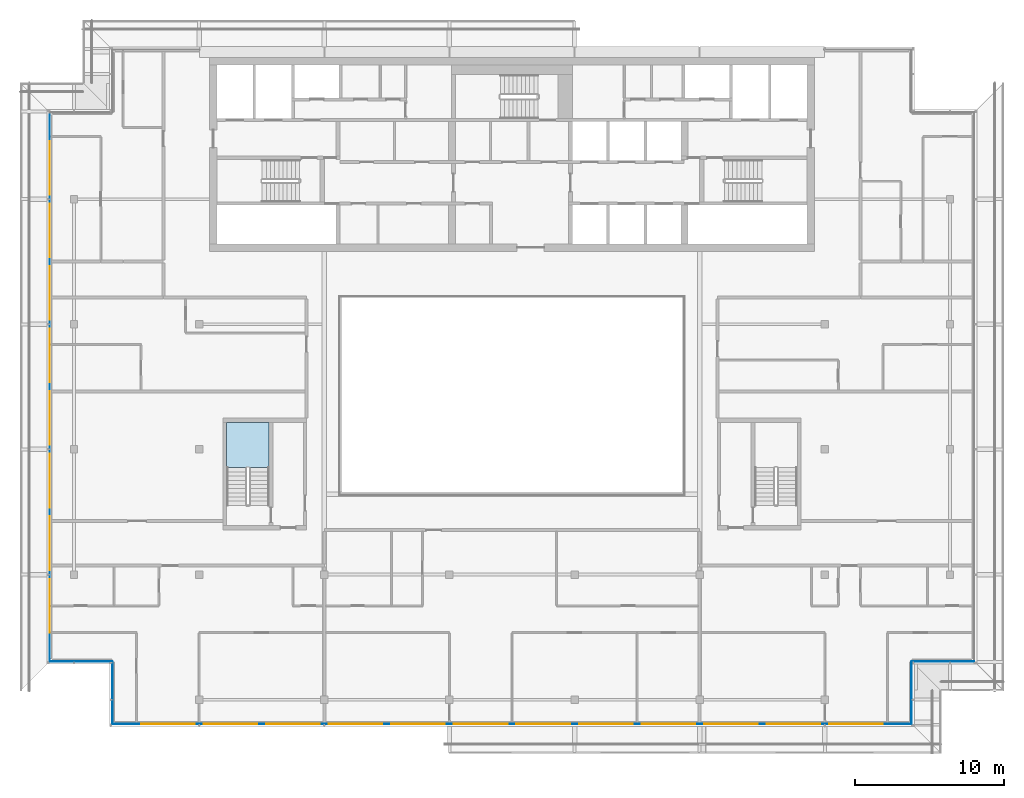
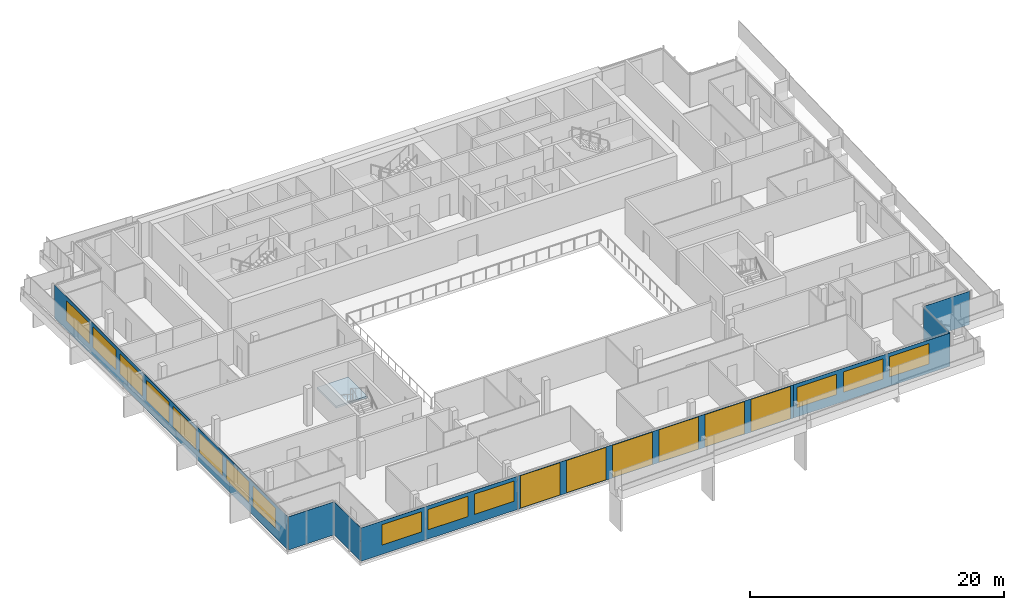
# One storey, part 13 of 26: 20 windows, 8 plates, 1 slab, 20 openings, 7 elements without a shape of their own.
"""IFC4 building model written with IfcOpenShell, lengths in metres."""

from ifc_helpers import new_model, si_unit, direction, frame, frame_2d, origin, place, context, subcontext, project, spatial, polyline, rectangle, outline, extrude, material, layer, layer_set, type_object, element, fill, aggregate, save


model = new_model("IFC4")

# Units and contexts
model_context = context("Model", 3, precision=1e-05, world=origin(), true_north=direction((0.0, 1.0)))
body_context = subcontext(model_context, "Body", "Model", "MODEL_VIEW")
ifc_project = project(units=[si_unit("LENGTHUNIT", "METRE"), si_unit("AREAUNIT", "SQUARE_METRE"), si_unit("VOLUMEUNIT", "CUBIC_METRE"), si_unit("PLANEANGLEUNIT", "RADIAN"), si_unit("MASSUNIT", "GRAM", prefix="KILO")], contexts=[model_context])

# Site, building, storey
site_placement = place(None, origin())
site = spatial("IfcSite", under=ifc_project, at=site_placement, CompositionType="ELEMENT")
building_placement = place(site_placement, origin())
building = spatial("IfcBuilding", under=site, at=building_placement, Name="Saffron Gate Tower", CompositionType="ELEMENT")
storey_placement = place(building_placement, frame((0.0, 0.0, 277.949951171875)))
storey = spatial("IfcBuildingStorey", under=building, at=storey_placement, Name="L67", CompositionType="ELEMENT", Elevation=277.949951171875)

# Curtain wall, plates, openings, windows
ifc_material_1 = material(Name="Aluminium, bronze anodised", Category="aluminium")
curtain_wall_type_1 = type_object("IfcCurtainWallType", Name="CWS1 curtain wall front facade", PredefinedType="NOTDEFINED", material=ifc_material_1)
curtain_wall_1_placement = place(storey_placement, origin())
curtain_wall_1 = element("IfcCurtainWall", 1, at=curtain_wall_1_placement, inside=storey, type_object=curtain_wall_type_1, Name="CWS1 run 1", PredefinedType="NOTDEFINED")
ifc_material_2 = material(Name="Clear low-iron laminated glass", Category="glass")
ifc_layer_1 = layer(ifc_material_2, 0.028076171875)
ifc_layer_set_1 = layer_set([ifc_layer_1], Name="CWS1 clear glass")
plate_type_1 = type_object("IfcPlateType", Name="CWS1 clear glass", PredefinedType="CURTAIN_PANEL", material=ifc_layer_set_1)
plate_1_placement = place(storey_placement, frame((75.030029296875, 30.174072265625, 0.0), z_axis=(0.0, 0.0, 1.0), x_axis=(1.0, 0.0, 0.0)))
plate_1 = element("IfcPlate", 2, at=plate_1_placement, type_object=plate_type_1, Name="CWS1 clear glass panel", PredefinedType="CURTAIN_PANEL", context=body_context, shape_type="SweptSolid", body=[
    extrude(rectangle(XDim=25.139892578125, YDim=0.028076171875, at=frame_2d((12.56982421875, 0.0))), origin(), (0.0, 0.0, 1.0), 3.199951171875),
])
opening_1_placement = place(plate_1_placement, frame((0.27001953125, 0.0, 0.050048828125)))
opening_1 = element("IfcOpeningElement", 3, at=opening_1_placement, cuts=plate_1, Name="Opening WA", PredefinedType="OPENING", context=body_context, shape_type="SweptSolid", body=[
    extrude(rectangle(XDim=3.60009765625, YDim=3.10009765625, at=frame_2d((1.800048828125, 1.550048828125))), frame((0.0, 0.02392578125, 0.0), z_axis=(0.0, -1.0, 0.0), x_axis=(1.0, 0.0, 0.0)), (0.0, 0.0, 1.0), 0.048095703125),
])
opening_2_placement = place(plate_1_placement, frame((4.469970703125, 0.0, 0.050048828125)))
opening_2 = element("IfcOpeningElement", 4, at=opening_2_placement, cuts=plate_1, Name="Opening WA", PredefinedType="OPENING", context=body_context, shape_type="SweptSolid", body=[
    extrude(rectangle(XDim=3.60009765625, YDim=3.10009765625, at=frame_2d((1.800048828125, 1.550048828125))), frame((0.0, 0.02392578125, 0.0), z_axis=(0.0, -1.0, 0.0), x_axis=(1.0, 0.0, 0.0)), (0.0, 0.0, 1.0), 0.048095703125),
])
opening_3_placement = place(plate_1_placement, frame((8.669921875, 0.0, 0.050048828125)))
opening_3 = element("IfcOpeningElement", 5, at=opening_3_placement, cuts=plate_1, Name="Opening WA", PredefinedType="OPENING", context=body_context, shape_type="SweptSolid", body=[
    extrude(rectangle(XDim=3.60009765625, YDim=3.10009765625, at=frame_2d((1.800048828125, 1.550048828125))), frame((0.0, 0.02392578125, 0.0), z_axis=(0.0, -1.0, 0.0), x_axis=(1.0, 0.0, 0.0)), (0.0, 0.0, 1.0), 0.048095703125),
])
opening_4_placement = place(plate_1_placement, frame((12.8701171875, 0.0, 0.050048828125)))
opening_4 = element("IfcOpeningElement", 6, at=opening_4_placement, cuts=plate_1, Name="Opening WA", PredefinedType="OPENING", context=body_context, shape_type="SweptSolid", body=[
    extrude(rectangle(XDim=3.60009765625, YDim=3.10009765625, at=frame_2d((1.800048828125, 1.550048828125))), frame((0.0, 0.02392578125, 0.0), z_axis=(0.0, -1.0, 0.0), x_axis=(1.0, 0.0, 0.0)), (0.0, 0.0, 1.0), 0.048095703125),
])
opening_5_placement = place(plate_1_placement, frame((17.070068359375, 0.0, 0.050048828125)))
opening_5 = element("IfcOpeningElement", 7, at=opening_5_placement, cuts=plate_1, Name="Opening WA", PredefinedType="OPENING", context=body_context, shape_type="SweptSolid", body=[
    extrude(rectangle(XDim=3.60009765625, YDim=3.10009765625, at=frame_2d((1.800048828125, 1.550048828125))), frame((0.0, 0.02392578125, 0.0), z_axis=(0.0, -1.0, 0.0), x_axis=(1.0, 0.0, 0.0)), (0.0, 0.0, 1.0), 0.048095703125),
])
opening_6_placement = place(plate_1_placement, frame((21.27001953125, 0.0, 0.050048828125)))
opening_6 = element("IfcOpeningElement", 8, at=opening_6_placement, cuts=plate_1, Name="Opening WA", PredefinedType="OPENING", context=body_context, shape_type="SweptSolid", body=[
    extrude(rectangle(XDim=3.60009765625, YDim=3.10009765625, at=frame_2d((1.800048828125, 1.550048828125))), frame((0.0, 0.02392578125, 0.0), z_axis=(0.0, -1.0, 0.0), x_axis=(1.0, 0.0, 0.0)), (0.0, 0.0, 1.0), 0.048095703125),
])
ifc_material_3 = material(Name="Clear low-iron laminated glass in bronze frame", Category="glass")
ifc_layer_2 = layer(ifc_material_3, 0.06005859375)
ifc_layer_set_2 = layer_set([ifc_layer_2], Name="WA operable atrium unit 3600x3100")
window_type_1 = type_object("IfcWindowType", Name="WA operable atrium unit 3600x3100", PartitioningType="DOUBLE_PANEL_HORIZONTAL", PredefinedType="WINDOW", material=ifc_layer_set_2)
window_1_placement = place(opening_1_placement, origin())
window_1 = element("IfcWindow", 9, at=window_1_placement, type_object=window_type_1, Name="WA operable atrium unit", OverallHeight=3.10009765625, OverallWidth=3.60009765625, PartitioningType="SINGLE_PANEL", PredefinedType="WINDOW", context=body_context, shape_type="SweptSolid", body=[
    extrude(rectangle(XDim=3.60009765625, YDim=3.10009765625, at=frame_2d((1.800048828125, 1.550048828125))), frame((0.0, 0.013671875, 0.0), z_axis=(0.0, -1.0, 0.0), x_axis=(1.0, 0.0, 0.0)), (0.0, 0.0, 1.0), 0.027587890625),
])
fill(opening_1, window_1)
window_2_placement = place(opening_2_placement, origin())
window_2 = element("IfcWindow", 10, at=window_2_placement, type_object=window_type_1, Name="WA operable atrium unit", OverallHeight=3.10009765625, OverallWidth=3.60009765625, PartitioningType="SINGLE_PANEL", PredefinedType="WINDOW", context=body_context, shape_type="SweptSolid", body=[
    extrude(rectangle(XDim=3.60009765625, YDim=3.10009765625, at=frame_2d((1.800048828125, 1.550048828125))), frame((0.0, 0.013671875, 0.0), z_axis=(0.0, -1.0, 0.0), x_axis=(1.0, 0.0, 0.0)), (0.0, 0.0, 1.0), 0.027587890625),
])
fill(opening_2, window_2)
window_3_placement = place(opening_3_placement, origin())
window_3 = element("IfcWindow", 11, at=window_3_placement, type_object=window_type_1, Name="WA operable atrium unit", OverallHeight=3.10009765625, OverallWidth=3.60009765625, PartitioningType="SINGLE_PANEL", PredefinedType="WINDOW", context=body_context, shape_type="SweptSolid", body=[
    extrude(rectangle(XDim=3.60009765625, YDim=3.10009765625, at=frame_2d((1.800048828125, 1.550048828125))), frame((0.0, 0.013671875, 0.0), z_axis=(0.0, -1.0, 0.0), x_axis=(1.0, 0.0, 0.0)), (0.0, 0.0, 1.0), 0.027587890625),
])
fill(opening_3, window_3)
window_4_placement = place(opening_4_placement, origin())
window_4 = element("IfcWindow", 12, at=window_4_placement, type_object=window_type_1, Name="WA operable atrium unit", OverallHeight=3.10009765625, OverallWidth=3.60009765625, PartitioningType="SINGLE_PANEL", PredefinedType="WINDOW", context=body_context, shape_type="SweptSolid", body=[
    extrude(rectangle(XDim=3.60009765625, YDim=3.10009765625, at=frame_2d((1.800048828125, 1.550048828125))), frame((0.0, 0.013671875, 0.0), z_axis=(0.0, -1.0, 0.0), x_axis=(1.0, 0.0, 0.0)), (0.0, 0.0, 1.0), 0.027587890625),
])
fill(opening_4, window_4)
window_5_placement = place(opening_5_placement, origin())
window_5 = element("IfcWindow", 13, at=window_5_placement, type_object=window_type_1, Name="WA operable atrium unit", OverallHeight=3.10009765625, OverallWidth=3.60009765625, PartitioningType="SINGLE_PANEL", PredefinedType="WINDOW", context=body_context, shape_type="SweptSolid", body=[
    extrude(rectangle(XDim=3.60009765625, YDim=3.10009765625, at=frame_2d((1.800048828125, 1.550048828125))), frame((0.0, 0.013671875, 0.0), z_axis=(0.0, -1.0, 0.0), x_axis=(1.0, 0.0, 0.0)), (0.0, 0.0, 1.0), 0.027587890625),
])
fill(opening_5, window_5)
window_6_placement = place(opening_6_placement, origin())
window_6 = element("IfcWindow", 14, at=window_6_placement, type_object=window_type_1, Name="WA operable atrium unit", OverallHeight=3.10009765625, OverallWidth=3.60009765625, PartitioningType="SINGLE_PANEL", PredefinedType="WINDOW", context=body_context, shape_type="SweptSolid", body=[
    extrude(rectangle(XDim=3.60009765625, YDim=3.10009765625, at=frame_2d((1.800048828125, 1.550048828125))), frame((0.0, 0.013671875, 0.0), z_axis=(0.0, -1.0, 0.0), x_axis=(1.0, 0.0, 0.0)), (0.0, 0.0, 1.0), 0.027587890625),
])
fill(opening_6, window_6)
ifc_material_4 = material(Name="Fritted bronze-tinted laminated glass", Category="glass")
ifc_layer_3 = layer(ifc_material_4, 0.028076171875)
ifc_layer_set_3 = layer_set([ifc_layer_3], Name="CWS1 fixed glass")
plate_type_2 = type_object("IfcPlateType", Name="CWS1 fixed glass", PredefinedType="CURTAIN_PANEL", material=ifc_layer_set_3)
plate_2_placement = place(storey_placement, frame((60.7880859375, 30.174072265625, 0.0), z_axis=(0.0, 0.0, 1.0), x_axis=(1.0, 0.0, 0.0)))
plate_2 = element("IfcPlate", 15, at=plate_2_placement, type_object=plate_type_2, Name="CWS1 glass panel", PredefinedType="CURTAIN_PANEL", context=body_context, shape_type="SweptSolid", body=[
    extrude(rectangle(XDim=14.241943359375, YDim=0.028076171875, at=frame_2d((7.12109375, 0.0))), origin(), (0.0, 0.0, 1.0), 3.199951171875),
])
opening_7_placement = place(plate_2_placement, frame((1.912109375, 0.0, 0.89990234375)))
opening_7 = element("IfcOpeningElement", 16, at=opening_7_placement, cuts=plate_2, Name="Opening W1", PredefinedType="OPENING", context=body_context, shape_type="SweptSolid", body=[
    extrude(rectangle(XDim=3.60009765625, YDim=1.949951171875, at=frame_2d((1.800048828125, 0.97509765625))), frame((0.0, 0.02392578125, 0.0), z_axis=(0.0, -1.0, 0.0), x_axis=(1.0, 0.0, 0.0)), (0.0, 0.0, 1.0), 0.048095703125),
])
opening_8_placement = place(plate_2_placement, frame((6.112060546875, 0.0, 0.89990234375)))
opening_8 = element("IfcOpeningElement", 17, at=opening_8_placement, cuts=plate_2, Name="Opening W1", PredefinedType="OPENING", context=body_context, shape_type="SweptSolid", body=[
    extrude(rectangle(XDim=3.60009765625, YDim=1.949951171875, at=frame_2d((1.800048828125, 0.97509765625))), frame((0.0, 0.02392578125, 0.0), z_axis=(0.0, -1.0, 0.0), x_axis=(1.0, 0.0, 0.0)), (0.0, 0.0, 1.0), 0.048095703125),
])
opening_9_placement = place(plate_2_placement, frame((10.31201171875, 0.0, 0.89990234375)))
opening_9 = element("IfcOpeningElement", 18, at=opening_9_placement, cuts=plate_2, Name="Opening W1", PredefinedType="OPENING", context=body_context, shape_type="SweptSolid", body=[
    extrude(rectangle(XDim=3.60009765625, YDim=1.949951171875, at=frame_2d((1.800048828125, 0.97509765625))), frame((0.0, 0.02392578125, 0.0), z_axis=(0.0, -1.0, 0.0), x_axis=(1.0, 0.0, 0.0)), (0.0, 0.0, 1.0), 0.048095703125),
])
ifc_material_5 = material(Name="Fritted bronze-tinted laminated glass in bronze frame", Category="glass")
ifc_layer_4 = layer(ifc_material_5, 0.06005859375)
ifc_layer_set_4 = layer_set([ifc_layer_4], Name="W1 operable panel 3600x1950")
window_type_2 = type_object("IfcWindowType", Name="W1 operable panel 3600x1950", PartitioningType="DOUBLE_PANEL_HORIZONTAL", PredefinedType="WINDOW", material=ifc_layer_set_4)
window_7_placement = place(opening_7_placement, origin())
window_7 = element("IfcWindow", 19, at=window_7_placement, type_object=window_type_2, Name="W1 operable panel", OverallHeight=1.949951171875, OverallWidth=3.60009765625, PartitioningType="SINGLE_PANEL", PredefinedType="WINDOW", context=body_context, shape_type="SweptSolid", body=[
    extrude(rectangle(XDim=3.60009765625, YDim=1.949951171875, at=frame_2d((1.800048828125, 0.97509765625))), frame((0.0, 0.013671875, 0.0), z_axis=(0.0, -1.0, 0.0), x_axis=(1.0, 0.0, 0.0)), (0.0, 0.0, 1.0), 0.027587890625),
])
fill(opening_7, window_7)
window_8_placement = place(opening_8_placement, origin())
window_8 = element("IfcWindow", 20, at=window_8_placement, type_object=window_type_2, Name="W1 operable panel", OverallHeight=1.949951171875, OverallWidth=3.60009765625, PartitioningType="SINGLE_PANEL", PredefinedType="WINDOW", context=body_context, shape_type="SweptSolid", body=[
    extrude(rectangle(XDim=3.60009765625, YDim=1.949951171875, at=frame_2d((1.800048828125, 0.97509765625))), frame((0.0, 0.013671875, 0.0), z_axis=(0.0, -1.0, 0.0), x_axis=(1.0, 0.0, 0.0)), (0.0, 0.0, 1.0), 0.027587890625),
])
fill(opening_8, window_8)
window_9_placement = place(opening_9_placement, origin())
window_9 = element("IfcWindow", 21, at=window_9_placement, type_object=window_type_2, Name="W1 operable panel", OverallHeight=1.949951171875, OverallWidth=3.60009765625, PartitioningType="SINGLE_PANEL", PredefinedType="WINDOW", context=body_context, shape_type="SweptSolid", body=[
    extrude(rectangle(XDim=3.60009765625, YDim=1.949951171875, at=frame_2d((1.800048828125, 0.97509765625))), frame((0.0, 0.013671875, 0.0), z_axis=(0.0, -1.0, 0.0), x_axis=(1.0, 0.0, 0.0)), (0.0, 0.0, 1.0), 0.027587890625),
])
fill(opening_9, window_9)
plate_3_placement = place(storey_placement, frame((100.169921875, 30.174072265625, 0.0), z_axis=(0.0, 0.0, 1.0), x_axis=(1.0, 0.0, 0.0)))
plate_3 = element("IfcPlate", 22, at=plate_3_placement, type_object=plate_type_2, Name="CWS1 glass panel", PredefinedType="CURTAIN_PANEL", context=body_context, shape_type="SweptSolid", body=[
    extrude(rectangle(XDim=14.2421875, YDim=0.028076171875, at=frame_2d((7.12109375, 0.0))), origin(), (0.0, 0.0, 1.0), 3.199951171875),
])
opening_10_placement = place(plate_3_placement, frame((0.330078125, 0.0, 0.89990234375)))
opening_10 = element("IfcOpeningElement", 23, at=opening_10_placement, cuts=plate_3, Name="Opening W1", PredefinedType="OPENING", context=body_context, shape_type="SweptSolid", body=[
    extrude(rectangle(XDim=3.60009765625, YDim=1.949951171875, at=frame_2d((1.800048828125, 0.97509765625))), frame((0.0, 0.02392578125, 0.0), z_axis=(0.0, -1.0, 0.0), x_axis=(1.0, 0.0, 0.0)), (0.0, 0.0, 1.0), 0.048095703125),
])
opening_11_placement = place(plate_3_placement, frame((4.530029296875, 0.0, 0.89990234375)))
opening_11 = element("IfcOpeningElement", 24, at=opening_11_placement, cuts=plate_3, Name="Opening W1", PredefinedType="OPENING", context=body_context, shape_type="SweptSolid", body=[
    extrude(rectangle(XDim=3.60009765625, YDim=1.949951171875, at=frame_2d((1.800048828125, 0.97509765625))), frame((0.0, 0.02392578125, 0.0), z_axis=(0.0, -1.0, 0.0), x_axis=(1.0, 0.0, 0.0)), (0.0, 0.0, 1.0), 0.048095703125),
])
opening_12_placement = place(plate_3_placement, frame((8.72998046875, 0.0, 0.89990234375)))
opening_12 = element("IfcOpeningElement", 25, at=opening_12_placement, cuts=plate_3, Name="Opening W1", PredefinedType="OPENING", context=body_context, shape_type="SweptSolid", body=[
    extrude(rectangle(XDim=3.60009765625, YDim=1.949951171875, at=frame_2d((1.800048828125, 0.97509765625))), frame((0.0, 0.02392578125, 0.0), z_axis=(0.0, -1.0, 0.0), x_axis=(1.0, 0.0, 0.0)), (0.0, 0.0, 1.0), 0.048095703125),
])
window_10_placement = place(opening_10_placement, origin())
window_10 = element("IfcWindow", 26, at=window_10_placement, type_object=window_type_2, Name="W1 operable panel", OverallHeight=1.949951171875, OverallWidth=3.60009765625, PartitioningType="SINGLE_PANEL", PredefinedType="WINDOW", context=body_context, shape_type="SweptSolid", body=[
    extrude(rectangle(XDim=3.60009765625, YDim=1.949951171875, at=frame_2d((1.800048828125, 0.97509765625))), frame((0.0, 0.013671875, 0.0), z_axis=(0.0, -1.0, 0.0), x_axis=(1.0, 0.0, 0.0)), (0.0, 0.0, 1.0), 0.027587890625),
])
fill(opening_10, window_10)
window_11_placement = place(opening_11_placement, origin())
window_11 = element("IfcWindow", 27, at=window_11_placement, type_object=window_type_2, Name="W1 operable panel", OverallHeight=1.949951171875, OverallWidth=3.60009765625, PartitioningType="SINGLE_PANEL", PredefinedType="WINDOW", context=body_context, shape_type="SweptSolid", body=[
    extrude(rectangle(XDim=3.60009765625, YDim=1.949951171875, at=frame_2d((1.800048828125, 0.97509765625))), frame((0.0, 0.013671875, 0.0), z_axis=(0.0, -1.0, 0.0), x_axis=(1.0, 0.0, 0.0)), (0.0, 0.0, 1.0), 0.027587890625),
])
fill(opening_11, window_11)
window_12_placement = place(opening_12_placement, origin())
window_12 = element("IfcWindow", 28, at=window_12_placement, type_object=window_type_2, Name="W1 operable panel", OverallHeight=1.949951171875, OverallWidth=3.60009765625, PartitioningType="SINGLE_PANEL", PredefinedType="WINDOW", context=body_context, shape_type="SweptSolid", body=[
    extrude(rectangle(XDim=3.60009765625, YDim=1.949951171875, at=frame_2d((1.800048828125, 0.97509765625))), frame((0.0, 0.013671875, 0.0), z_axis=(0.0, -1.0, 0.0), x_axis=(1.0, 0.0, 0.0)), (0.0, 0.0, 1.0), 0.027587890625),
])
fill(opening_12, window_12)
aggregate(curtain_wall_1, [plate_2, plate_3, plate_1, window_7, window_8, window_9, window_10, window_11, window_12, window_1, window_2, window_3, window_4, window_5, window_6])

# Curtain wall, plate, openings, windows
curtain_wall_type_2 = type_object("IfcCurtainWallType", Name="CWS2 curtain wall side facades", PredefinedType="NOTDEFINED", material=ifc_material_1)
curtain_wall_2_placement = place(storey_placement, origin())
curtain_wall_2 = element("IfcCurtainWall", 29, at=curtain_wall_2_placement, inside=storey, type_object=curtain_wall_type_2, Name="CWS2 run 10", PredefinedType="NOTDEFINED")
ifc_layer_5 = layer(ifc_material_4, 0.028076171875)
ifc_layer_set_5 = layer_set([ifc_layer_5], Name="CWS2 fixed glass")
plate_type_3 = type_object("IfcPlateType", Name="CWS2 fixed glass", PredefinedType="CURTAIN_PANEL", material=ifc_layer_set_5)
plate_4_placement = place(storey_placement, frame((56.573974609375, 71.2119140625, 0.0), z_axis=(0.0, 0.0, 1.0), x_axis=(0.0, -1.0, 0.0)))
plate_4 = element("IfcPlate", 30, at=plate_4_placement, type_object=plate_type_3, Name="CWS2 glass panel", PredefinedType="CURTAIN_PANEL", context=body_context, shape_type="SweptSolid", body=[
    extrude(rectangle(XDim=36.823974609375, YDim=0.028076171875, at=frame_2d((18.412109375, 0.0))), origin(), (0.0, 0.0, 1.0), 3.199951171875),
])
opening_13_placement = place(plate_4_placement, frame((1.912109375, 0.0, 0.89990234375)))
opening_13 = element("IfcOpeningElement", 31, at=opening_13_placement, cuts=plate_4, Name="Opening W1", PredefinedType="OPENING", context=body_context, shape_type="SweptSolid", body=[
    extrude(rectangle(XDim=3.60009765625, YDim=1.949951171875, at=frame_2d((1.800048828125, 0.97509765625))), frame((0.0, 0.02392578125, 0.0), z_axis=(0.0, -1.0, 0.0), x_axis=(1.0, 0.0, 0.0)), (0.0, 0.0, 1.0), 0.048095703125),
])
opening_14_placement = place(plate_4_placement, frame((6.112060546875, 0.0, 0.89990234375)))
opening_14 = element("IfcOpeningElement", 32, at=opening_14_placement, cuts=plate_4, Name="Opening W1", PredefinedType="OPENING", context=body_context, shape_type="SweptSolid", body=[
    extrude(rectangle(XDim=3.60009765625, YDim=1.949951171875, at=frame_2d((1.800048828125, 0.97509765625))), frame((0.0, 0.02392578125, 0.0), z_axis=(0.0, -1.0, 0.0), x_axis=(1.0, 0.0, 0.0)), (0.0, 0.0, 1.0), 0.048095703125),
])
opening_15_placement = place(plate_4_placement, frame((10.31201171875, 0.0, 0.89990234375)))
opening_15 = element("IfcOpeningElement", 33, at=opening_15_placement, cuts=plate_4, Name="Opening W1", PredefinedType="OPENING", context=body_context, shape_type="SweptSolid", body=[
    extrude(rectangle(XDim=3.60009765625, YDim=1.949951171875, at=frame_2d((1.800048828125, 0.97509765625))), frame((0.0, 0.02392578125, 0.0), z_axis=(0.0, -1.0, 0.0), x_axis=(1.0, 0.0, 0.0)), (0.0, 0.0, 1.0), 0.048095703125),
])
opening_16_placement = place(plate_4_placement, frame((14.511962890625, 0.0, 0.89990234375)))
opening_16 = element("IfcOpeningElement", 34, at=opening_16_placement, cuts=plate_4, Name="Opening W1", PredefinedType="OPENING", context=body_context, shape_type="SweptSolid", body=[
    extrude(rectangle(XDim=3.60009765625, YDim=1.949951171875, at=frame_2d((1.800048828125, 0.97509765625))), frame((0.0, 0.02392578125, 0.0), z_axis=(0.0, -1.0, 0.0), x_axis=(1.0, 0.0, 0.0)), (0.0, 0.0, 1.0), 0.048095703125),
])
opening_17_placement = place(plate_4_placement, frame((18.7119140625, 0.0, 0.89990234375)))
opening_17 = element("IfcOpeningElement", 35, at=opening_17_placement, cuts=plate_4, Name="Opening W1", PredefinedType="OPENING", context=body_context, shape_type="SweptSolid", body=[
    extrude(rectangle(XDim=3.60009765625, YDim=1.949951171875, at=frame_2d((1.800048828125, 0.97509765625))), frame((0.0, 0.02392578125, 0.0), z_axis=(0.0, -1.0, 0.0), x_axis=(1.0, 0.0, 0.0)), (0.0, 0.0, 1.0), 0.048095703125),
])
opening_18_placement = place(plate_4_placement, frame((22.912109375, 0.0, 0.89990234375)))
opening_18 = element("IfcOpeningElement", 36, at=opening_18_placement, cuts=plate_4, Name="Opening W1", PredefinedType="OPENING", context=body_context, shape_type="SweptSolid", body=[
    extrude(rectangle(XDim=3.60009765625, YDim=1.949951171875, at=frame_2d((1.800048828125, 0.97509765625))), frame((0.0, 0.02392578125, 0.0), z_axis=(0.0, -1.0, 0.0), x_axis=(1.0, 0.0, 0.0)), (0.0, 0.0, 1.0), 0.048095703125),
])
opening_19_placement = place(plate_4_placement, frame((27.112060546875, 0.0, 0.89990234375)))
opening_19 = element("IfcOpeningElement", 37, at=opening_19_placement, cuts=plate_4, Name="Opening W1", PredefinedType="OPENING", context=body_context, shape_type="SweptSolid", body=[
    extrude(rectangle(XDim=3.60009765625, YDim=1.949951171875, at=frame_2d((1.800048828125, 0.97509765625))), frame((0.0, 0.02392578125, 0.0), z_axis=(0.0, -1.0, 0.0), x_axis=(1.0, 0.0, 0.0)), (0.0, 0.0, 1.0), 0.048095703125),
])
opening_20_placement = place(plate_4_placement, frame((31.31201171875, 0.0, 0.89990234375)))
opening_20 = element("IfcOpeningElement", 38, at=opening_20_placement, cuts=plate_4, Name="Opening W1", PredefinedType="OPENING", context=body_context, shape_type="SweptSolid", body=[
    extrude(rectangle(XDim=3.60009765625, YDim=1.949951171875, at=frame_2d((1.800048828125, 0.97509765625))), frame((0.0, 0.02392578125, 0.0), z_axis=(0.0, -1.0, 0.0), x_axis=(1.0, 0.0, 0.0)), (0.0, 0.0, 1.0), 0.048095703125),
])
window_13_placement = place(opening_13_placement, origin())
window_13 = element("IfcWindow", 39, at=window_13_placement, type_object=window_type_2, Name="W1 operable panel", OverallHeight=1.949951171875, OverallWidth=3.60009765625, PartitioningType="SINGLE_PANEL", PredefinedType="WINDOW", context=body_context, shape_type="SweptSolid", body=[
    extrude(rectangle(XDim=3.60009765625, YDim=1.949951171875, at=frame_2d((1.800048828125, 0.97509765625))), frame((0.0, 0.013671875, 0.0), z_axis=(0.0, -1.0, 0.0), x_axis=(1.0, 0.0, 0.0)), (0.0, 0.0, 1.0), 0.027587890625),
])
fill(opening_13, window_13)
window_14_placement = place(opening_14_placement, origin())
window_14 = element("IfcWindow", 40, at=window_14_placement, type_object=window_type_2, Name="W1 operable panel", OverallHeight=1.949951171875, OverallWidth=3.60009765625, PartitioningType="SINGLE_PANEL", PredefinedType="WINDOW", context=body_context, shape_type="SweptSolid", body=[
    extrude(rectangle(XDim=3.60009765625, YDim=1.949951171875, at=frame_2d((1.800048828125, 0.97509765625))), frame((0.0, 0.013671875, 0.0), z_axis=(0.0, -1.0, 0.0), x_axis=(1.0, 0.0, 0.0)), (0.0, 0.0, 1.0), 0.027587890625),
])
fill(opening_14, window_14)
window_15_placement = place(opening_15_placement, origin())
window_15 = element("IfcWindow", 41, at=window_15_placement, type_object=window_type_2, Name="W1 operable panel", OverallHeight=1.949951171875, OverallWidth=3.60009765625, PartitioningType="SINGLE_PANEL", PredefinedType="WINDOW", context=body_context, shape_type="SweptSolid", body=[
    extrude(rectangle(XDim=3.60009765625, YDim=1.949951171875, at=frame_2d((1.800048828125, 0.97509765625))), frame((0.0, 0.013671875, 0.0), z_axis=(0.0, -1.0, 0.0), x_axis=(1.0, 0.0, 0.0)), (0.0, 0.0, 1.0), 0.027587890625),
])
fill(opening_15, window_15)
window_16_placement = place(opening_16_placement, origin())
window_16 = element("IfcWindow", 42, at=window_16_placement, type_object=window_type_2, Name="W1 operable panel", OverallHeight=1.949951171875, OverallWidth=3.60009765625, PartitioningType="SINGLE_PANEL", PredefinedType="WINDOW", context=body_context, shape_type="SweptSolid", body=[
    extrude(rectangle(XDim=3.60009765625, YDim=1.949951171875, at=frame_2d((1.800048828125, 0.97509765625))), frame((0.0, 0.013671875, 0.0), z_axis=(0.0, -1.0, 0.0), x_axis=(1.0, 0.0, 0.0)), (0.0, 0.0, 1.0), 0.027587890625),
])
fill(opening_16, window_16)
window_17_placement = place(opening_17_placement, origin())
window_17 = element("IfcWindow", 43, at=window_17_placement, type_object=window_type_2, Name="W1 operable panel", OverallHeight=1.949951171875, OverallWidth=3.60009765625, PartitioningType="SINGLE_PANEL", PredefinedType="WINDOW", context=body_context, shape_type="SweptSolid", body=[
    extrude(rectangle(XDim=3.60009765625, YDim=1.949951171875, at=frame_2d((1.800048828125, 0.97509765625))), frame((0.0, 0.013671875, 0.0), z_axis=(0.0, -1.0, 0.0), x_axis=(1.0, 0.0, 0.0)), (0.0, 0.0, 1.0), 0.027587890625),
])
fill(opening_17, window_17)
window_18_placement = place(opening_18_placement, origin())
window_18 = element("IfcWindow", 44, at=window_18_placement, type_object=window_type_2, Name="W1 operable panel", OverallHeight=1.949951171875, OverallWidth=3.60009765625, PartitioningType="SINGLE_PANEL", PredefinedType="WINDOW", context=body_context, shape_type="SweptSolid", body=[
    extrude(rectangle(XDim=3.60009765625, YDim=1.949951171875, at=frame_2d((1.800048828125, 0.97509765625))), frame((0.0, 0.013671875, 0.0), z_axis=(0.0, -1.0, 0.0), x_axis=(1.0, 0.0, 0.0)), (0.0, 0.0, 1.0), 0.027587890625),
])
fill(opening_18, window_18)
window_19_placement = place(opening_19_placement, origin())
window_19 = element("IfcWindow", 45, at=window_19_placement, type_object=window_type_2, Name="W1 operable panel", OverallHeight=1.949951171875, OverallWidth=3.60009765625, PartitioningType="SINGLE_PANEL", PredefinedType="WINDOW", context=body_context, shape_type="SweptSolid", body=[
    extrude(rectangle(XDim=3.60009765625, YDim=1.949951171875, at=frame_2d((1.800048828125, 0.97509765625))), frame((0.0, 0.013671875, 0.0), z_axis=(0.0, -1.0, 0.0), x_axis=(1.0, 0.0, 0.0)), (0.0, 0.0, 1.0), 0.027587890625),
])
fill(opening_19, window_19)
window_20_placement = place(opening_20_placement, origin())
window_20 = element("IfcWindow", 46, at=window_20_placement, type_object=window_type_2, Name="W1 operable panel", OverallHeight=1.949951171875, OverallWidth=3.60009765625, PartitioningType="SINGLE_PANEL", PredefinedType="WINDOW", context=body_context, shape_type="SweptSolid", body=[
    extrude(rectangle(XDim=3.60009765625, YDim=1.949951171875, at=frame_2d((1.800048828125, 0.97509765625))), frame((0.0, 0.013671875, 0.0), z_axis=(0.0, -1.0, 0.0), x_axis=(1.0, 0.0, 0.0)), (0.0, 0.0, 1.0), 0.027587890625),
])
fill(opening_20, window_20)
aggregate(curtain_wall_2, [plate_4, window_13, window_14, window_15, window_16, window_17, window_18, window_19, window_20])

# Curtain wall, plate
curtain_wall_type_3 = type_object("IfcCurtainWallType", Name="CWS4 curtain wall corner returns", PredefinedType="NOTDEFINED", material=ifc_material_1)
curtain_wall_3_placement = place(storey_placement, origin())
curtain_wall_3 = element("IfcCurtainWall", 47, at=curtain_wall_3_placement, inside=storey, type_object=curtain_wall_type_3, Name="CWS4 run 2", PredefinedType="NOTDEFINED")
ifc_layer_6 = layer(ifc_material_4, 0.028076171875)
ifc_layer_set_6 = layer_set([ifc_layer_6], Name="CWS4 fixed glass")
plate_type_4 = type_object("IfcPlateType", Name="CWS4 fixed glass", PredefinedType="CURTAIN_PANEL", material=ifc_layer_set_6)
plate_5_placement = place(storey_placement, frame((114.426025390625, 30.18798828125, 0.0), z_axis=(0.0, 0.0, 1.0), x_axis=(0.0, 1.0, 0.0)))
plate_5 = element("IfcPlate", 48, at=plate_5_placement, type_object=plate_type_4, Name="CWS4 glass panel", PredefinedType="CURTAIN_PANEL", context=body_context, shape_type="SweptSolid", body=[
    extrude(rectangle(XDim=4.172119140625, YDim=0.028076171875, at=frame_2d((2.0859375, 0.0))), origin(), (0.0, 0.0, 1.0), 3.199951171875),
])
aggregate(curtain_wall_3, [plate_5])

curtain_wall_4_placement = place(storey_placement, origin())
curtain_wall_4 = element("IfcCurtainWall", 49, at=curtain_wall_4_placement, inside=storey, type_object=curtain_wall_type_3, Name="CWS4 run 3", PredefinedType="NOTDEFINED")
plate_6_placement = place(storey_placement, frame((114.43994140625, 34.3740234375, 0.0), z_axis=(0.0, 0.0, 1.0), x_axis=(1.0, 0.0, 0.0)))
plate_6 = element("IfcPlate", 50, at=plate_6_placement, type_object=plate_type_4, Name="CWS4 glass panel", PredefinedType="CURTAIN_PANEL", context=body_context, shape_type="SweptSolid", body=[
    extrude(rectangle(XDim=4.172119140625, YDim=0.028076171875, at=frame_2d((2.0859375, 0.0))), origin(), (0.0, 0.0, 1.0), 3.199951171875),
])
aggregate(curtain_wall_4, [plate_6])

curtain_wall_5_placement = place(storey_placement, origin())
curtain_wall_5 = element("IfcCurtainWall", 51, at=curtain_wall_5_placement, inside=storey, type_object=curtain_wall_type_3, Name="CWS4 run 11", PredefinedType="NOTDEFINED")
plate_7_placement = place(storey_placement, frame((56.587890625, 34.3740234375, 0.0), z_axis=(0.0, 0.0, 1.0), x_axis=(1.0, 0.0, 0.0)))
plate_7 = element("IfcPlate", 52, at=plate_7_placement, type_object=plate_type_4, Name="CWS4 glass panel", PredefinedType="CURTAIN_PANEL", context=body_context, shape_type="SweptSolid", body=[
    extrude(rectangle(XDim=4.172119140625, YDim=0.028076171875, at=frame_2d((2.0859375, 0.0))), origin(), (0.0, 0.0, 1.0), 3.199951171875),
])
aggregate(curtain_wall_5, [plate_7])

curtain_wall_6_placement = place(storey_placement, origin())
curtain_wall_6 = element("IfcCurtainWall", 53, at=curtain_wall_6_placement, inside=storey, type_object=curtain_wall_type_3, Name="CWS4 run 12", PredefinedType="NOTDEFINED")
plate_8_placement = place(storey_placement, frame((60.77392578125, 34.360107421875, 0.0), z_axis=(0.0, 0.0, 1.0), x_axis=(0.0, -1.0, 0.0)))
plate_8 = element("IfcPlate", 54, at=plate_8_placement, type_object=plate_type_4, Name="CWS4 glass panel", PredefinedType="CURTAIN_PANEL", context=body_context, shape_type="SweptSolid", body=[
    extrude(rectangle(XDim=4.172119140625, YDim=0.028076171875, at=frame_2d((2.0859375, 0.0))), origin(), (0.0, 0.0, 1.0), 3.199951171875),
])
aggregate(curtain_wall_6, [plate_8])

# Stair, slab
ifc_material_6 = material(Name="Concrete C40", Category="concrete")
stair_type = type_object("IfcStairType", Name="ST7 Stair 1350 wide, 20 risers of 180", PredefinedType="HALF_TURN_STAIR", material=ifc_material_6)
stair_placement = place(storey_placement, origin())
stair = element("IfcStair", 55, at=stair_placement, inside=storey, type_object=stair_type, Name="L67 Exit stair D", PredefinedType="HALF_TURN_STAIR")
ifc_layer_7 = layer(ifc_material_6, 0.199951171875)
ifc_layer_set_7 = layer_set([ifc_layer_7], Name="SL1 Stair landing 200")
slab_type = type_object("IfcSlabType", Name="SL1 Stair landing 200", PredefinedType="LANDING", material=ifc_layer_set_7)
slab_placement = place(storey_placement, frame((0.0, 0.0, 1.60009765625)))
slab = element("IfcSlab", 56, at=slab_placement, type_object=slab_type, Name="ST-D landing 1", PredefinedType="LANDING", context=body_context, shape_type="SweptSolid", body=[
    extrude(outline(polyline([(71.300048828125, 47.3701171875), (71.300048828125, 50.39990234375), (68.449951171875, 50.39990234375), (68.449951171875, 47.3701171875), (71.300048828125, 47.3701171875)])), origin(), (0.0, 0.0, 1.0), 0.199951171875),
])
aggregate(stair, [slab])

save(model, "model.ifc")
